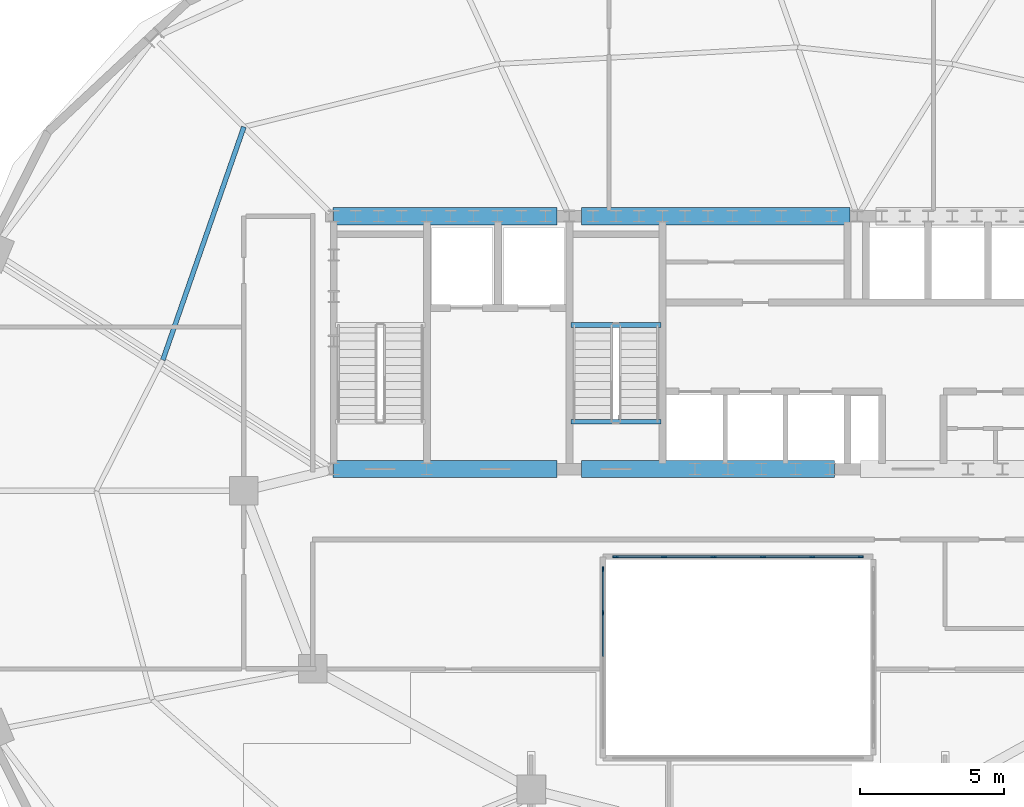
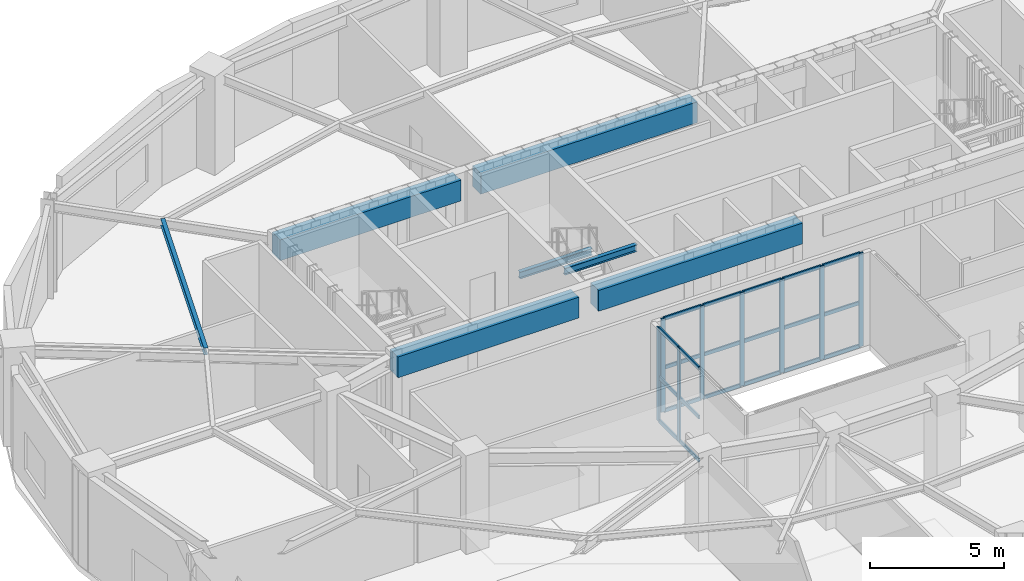
# One storey, part 5 of 13: 29 members, 7 beams, 2 elements without a shape of their own.
"""IFC4 building model written with IfcOpenShell, lengths in metres."""

import ifcopenshell
import ifcopenshell.guid

model = None  # the IFC model being written
_history = None  # IfcOwnerHistory: only IFC2X3 demands one
_inside = {}  # id of a spatial element -> (the spatial element, [elements in it])
_under = {}  # id of a project, library or spatial element -> (it, [spatial elements below it])
_declared = {}  # id of a project -> (the project, [libraries it declares])
_typed = {}  # id of a type object -> (the type object, [elements of that type])
_made_of = {}  # id of a material, layer set ... -> (it, [elements and type objects made of it])


def new_model(schema):
    """Start an empty IFC model of exactly this schema.

    Asked for "IFC4X3", IfcOpenShell would pick the latest addendum, in which some entities
    have other attributes; the version numbers below select the first issue.
    IFC2X3 requires an IfcOwnerHistory on every rooted entity: one is made here for all.
    """
    global model, _history
    if schema == "IFC4X3":
        model = ifcopenshell.file(schema_version=(4, 3, 0, 0))
    else:
        model = ifcopenshell.file(schema=schema)
    _inside.clear()
    _under.clear()
    _declared.clear()
    _typed.clear()
    _made_of.clear()
    _history = None
    if model.schema == "IFC2X3":
        org = make("IfcOrganization", Name="unknown")
        user = make(
            "IfcPersonAndOrganization",
            ThePerson=make("IfcPerson", FamilyName="unknown"),
            TheOrganization=org,
        )
        app = make(
            "IfcApplication",
            ApplicationDeveloper=org,
            Version="unknown",
            ApplicationFullName="unknown",
            ApplicationIdentifier="unknown",
        )
        _history = make(
            "IfcOwnerHistory",
            OwningUser=user,
            OwningApplication=app,
            ChangeAction="ADDED",
            CreationDate=0,
        )
    return model


def make(cls, **values):
    """One entity of the class cls with the attributes given. An attribute that is None is left unset."""
    return model.create_entity(
        cls, **{name: value for name, value in values.items() if value is not None}
    )


def rooted(cls, **values):
    """An entity with a GlobalId (a new one), such as an element, a storey or a relation."""
    return make(cls, GlobalId=ifcopenshell.guid.new(), OwnerHistory=_history, **values)


def si_unit(unit_type, name, prefix=None):
    """IfcSIUnit, for example si_unit("LENGTHUNIT", "METRE", prefix="MILLI")."""
    return make("IfcSIUnit", UnitType=unit_type, Prefix=prefix, Name=name)


def assignment(units):
    """IfcUnitAssignment: the units of a project."""
    return None if units is None else make("IfcUnitAssignment", Units=units)


def point(xyz):
    """IfcCartesianPoint."""
    return None if xyz is None else make("IfcCartesianPoint", Coordinates=xyz)


def direction(xyz):
    """IfcDirection."""
    return None if xyz is None else make("IfcDirection", DirectionRatios=xyz)


def frame(location, z_axis=None, x_axis=None):
    """IfcAxis2Placement3D, a coordinate frame: its origin and axes. An axis left out is left unset."""
    return make(
        "IfcAxis2Placement3D",
        Location=point(location),
        Axis=direction(z_axis),
        RefDirection=direction(x_axis),
    )


def frame_2d(location, x_axis=None):
    """IfcAxis2Placement2D, a coordinate frame in the plane: its origin and x axis."""
    return make(
        "IfcAxis2Placement2D", Location=point(location), RefDirection=direction(x_axis)
    )


def origin():
    """The frame at (0, 0, 0) with its axes left unset."""
    return frame((0.0, 0.0, 0.0))


def origin_2d():
    """The frame at (0, 0) in the plane with its x axis left unset."""
    return frame_2d((0.0, 0.0))


def place(relative_to, where):
    """IfcLocalPlacement: puts the frame where relative to a parent placement (None: the world)."""
    return make(
        "IfcLocalPlacement", PlacementRelTo=relative_to, RelativePlacement=where
    )


def context(
    kind, dimensions, precision=None, world=None, true_north=None, identifier=None
):
    """IfcGeometricRepresentationContext, for example the 3D "Model" context."""
    return make(
        "IfcGeometricRepresentationContext",
        ContextIdentifier=identifier,
        ContextType=kind,
        CoordinateSpaceDimension=dimensions,
        Precision=precision,
        WorldCoordinateSystem=world,
        TrueNorth=true_north,
    )


def subcontext(parent, identifier, kind, view, scale=None):
    """IfcGeometricRepresentationSubContext, for example "Body" below "Model"."""
    return make(
        "IfcGeometricRepresentationSubContext",
        ContextIdentifier=identifier,
        ContextType=kind,
        ParentContext=parent,
        TargetScale=scale,
        TargetView=view,
    )


def project(units=None, contexts=None):
    """IfcProject with its units and contexts."""
    return rooted(
        "IfcProject",
        Name="project",
        RepresentationContexts=contexts,
        UnitsInContext=assignment(units),
    )


def spatial(cls, under=None, at=None, **own):
    """A site, building, storey or space (cls), placed at a placement, below another one or the project."""
    s = rooted(cls, ObjectPlacement=at, **own)
    if under is not None:
        _under.setdefault(under.id(), (under, []))[1].append(s)
    return s


def profile(cls, at=None, kind="AREA", **sizes):
    """A parametric profile (cls). Its sizes go by their IFC names, for example OverallWidth=200.0."""
    return make(cls, ProfileType=kind, Position=at, **sizes)


def rectangle(**sizes):
    """IfcRectangleProfileDef."""
    return profile("IfcRectangleProfileDef", **sizes)


def i_section(**sizes):
    """IfcIShapeProfileDef."""
    return profile("IfcIShapeProfileDef", **sizes)


def extrude(swept, where, along, depth):
    """IfcExtrudedAreaSolid: the profile swept, set in the frame where, extruded along a direction by depth."""
    return make(
        "IfcExtrudedAreaSolid",
        SweptArea=swept,
        Position=where,
        ExtrudedDirection=direction(along),
        Depth=depth,
    )


def shape(context_of_items, identifier, shape_type, items):
    """IfcShapeRepresentation: the items that make up one representation, for example the "Body"."""
    return make(
        "IfcShapeRepresentation",
        ContextOfItems=context_of_items,
        RepresentationIdentifier=identifier,
        RepresentationType=shape_type,
        Items=items,
    )


def material(Name=None, Category=None):
    """IfcMaterial."""
    return make("IfcMaterial", Name=Name, Category=Category)


def material_profile(
    of_material, cross_section, Name=None, Category=None, Priority=None
):
    """IfcMaterialProfile: a cross section and its material."""
    return make(
        "IfcMaterialProfile",
        Name=Name,
        Material=of_material,
        Profile=cross_section,
        Priority=Priority,
        Category=Category,
    )


def profile_set(profiles, Name=None, composite=None):
    """IfcMaterialProfileSet."""
    return make(
        "IfcMaterialProfileSet",
        Name=Name,
        MaterialProfiles=profiles,
        CompositeProfile=composite,
    )


def made_of(thing, what):
    """Note that an element or type object is made of a material, layer set ...; save() writes the relation."""
    if what is not None:
        _made_of.setdefault(what.id(), (what, []))[1].append(thing)
    return thing


def type_object(cls, material=None, **own):
    """A type object (cls), such as IfcWallType, which elements share."""
    return made_of(rooted(cls, **own), material)


def element(
    cls,
    number,
    at=None,
    inside=None,
    cuts=None,
    type_object=None,
    material=None,
    context=None,
    identifier="Body",
    shape_type=None,
    held_by="IfcProductDefinitionShape",
    body=None,
    shapes=None,
    **own,
):
    """One element of the class cls, such as IfcWall. Its Tag is "e" and its number.

    at: its placement. inside: the storey or other place that contains it. cuts: it is an
    opening in that element (IfcRelVoidsElement). A single representation is given by context,
    identifier, shape_type and body (its items); several are given by shapes. held_by: the class
    of the entity that holds the representations. save() writes the other relations.
    """
    e = rooted(cls, Tag="e%d" % number, ObjectPlacement=at, **own)
    if body is not None:
        shapes = [shape(context, identifier, shape_type, body)]
    if shapes is not None:
        e.Representation = make(held_by, Representations=shapes)
    if inside is not None:
        _inside.setdefault(inside.id(), (inside, []))[1].append(e)
    if cuts is not None:
        rooted(
            "IfcRelVoidsElement", RelatingBuildingElement=cuts, RelatedOpeningElement=e
        )
    if type_object is not None:
        _typed.setdefault(type_object.id(), (type_object, []))[1].append(e)
    return made_of(e, material)


def aggregate(whole, parts):
    """IfcRelAggregates: a whole, such as a stair, and the parts it consists of."""
    return rooted("IfcRelAggregates", RelatingObject=whole, RelatedObjects=parts)


def save(model, path):
    """Write the relations noted so far, then the file.

    IfcRelAggregates (storeys below a building ...), IfcRelContainedInSpatialStructure (elements
    in a storey), IfcRelDefinesByType, IfcRelAssociatesMaterial and IfcRelDeclares: one each for
    every whole, place, type object, material and project.
    """
    for whole, parts in _under.values():
        aggregate(whole, parts)
    for where, things in _inside.values():
        rooted(
            "IfcRelContainedInSpatialStructure",
            RelatedElements=things,
            RelatingStructure=where,
        )
    for kind, things in _typed.values():
        rooted("IfcRelDefinesByType", RelatedObjects=things, RelatingType=kind)
    for what, things in _made_of.values():
        rooted("IfcRelAssociatesMaterial", RelatedObjects=things, RelatingMaterial=what)
    for by, libraries in _declared.values():
        rooted("IfcRelDeclares", RelatingContext=by, RelatedDefinitions=libraries)
    model.write(path)


model = new_model("IFC4")

# Units and contexts
model_context = context("Model", 3, precision=1e-05, world=origin(), true_north=direction((0.0, 1.0)))
body_context = subcontext(model_context, "Body", "Model", "MODEL_VIEW")
ifc_project = project(units=[si_unit("LENGTHUNIT", "METRE"), si_unit("AREAUNIT", "SQUARE_METRE"), si_unit("VOLUMEUNIT", "CUBIC_METRE"), si_unit("PLANEANGLEUNIT", "RADIAN"), si_unit("MASSUNIT", "GRAM", prefix="KILO")], contexts=[model_context])

# Site, building, storey
site_placement = place(None, origin())
site = spatial("IfcSite", under=ifc_project, at=site_placement, CompositionType="ELEMENT")
building_placement = place(site_placement, origin())
building = spatial("IfcBuilding", under=site, at=building_placement, Name="Haldorwick Loom Tower", CompositionType="ELEMENT")
storey_placement = place(building_placement, frame((0.0, 0.0, 188.949951171875)))
storey = spatial("IfcBuildingStorey", under=building, at=storey_placement, Name="L51", CompositionType="ELEMENT", Elevation=188.949951171875)

# Curtain wall, members
ifc_material_1 = material(Name="Thermally Broken Anodized Aluminium Curtain Wall Framing", Category="aluminium")
curtain_wall_type = type_object("IfcCurtainWallType", Name="ARC-CW-03", PredefinedType="NOTDEFINED", material=ifc_material_1)
curtain_wall_1_placement = place(storey_placement, origin())
curtain_wall_1 = element("IfcCurtainWall", 1, at=curtain_wall_1_placement, inside=storey, type_object=curtain_wall_type, Name="L51 Atrium Glazed Screen N", PredefinedType="NOTDEFINED")
ifc_material_profile_1 = material_profile(ifc_material_1, rectangle(XDim=0.06591796875, YDim=0.18505859375, at=origin_2d()), Name="ALU_MUL_66X185", Category="aluminium")
ifc_profile_set_1 = profile_set([ifc_material_profile_1], Name="Thermally Broken Anodized Aluminium Curtain Wall Framing")
member_type_1 = type_object("IfcMemberType", Name="ARC-CWM-03", PredefinedType="MULLION", material=ifc_profile_set_1)
member_1_placement = place(storey_placement, frame((31.73291015625, 23.699951171875, 0.0), z_axis=(0.0, 0.0, 1.0), x_axis=(0.0, 1.0, 0.0)))
member_1 = element("IfcMember", 2, at=member_1_placement, type_object=member_type_1, Name="CW-03 mullion 1", PredefinedType="MULLION", context=body_context, shape_type="SweptSolid", body=[
    extrude(rectangle(XDim=0.06591796875, YDim=0.18505859375, at=origin_2d()), origin(), (0.0, 0.0, 1.0), 4.260009765625),
])
member_2_placement = place(storey_placement, frame((33.419921875, 23.699951171875, 0.0), z_axis=(0.0, 0.0, 1.0), x_axis=(0.0, 1.0, 0.0)))
member_2 = element("IfcMember", 3, at=member_2_placement, type_object=member_type_1, Name="CW-03 mullion 2", PredefinedType="MULLION", context=body_context, shape_type="SweptSolid", body=[
    extrude(rectangle(XDim=0.06591796875, YDim=0.18505859375, at=origin_2d()), origin(), (0.0, 0.0, 1.0), 4.260009765625),
])
member_3_placement = place(storey_placement, frame((35.139892578125, 23.699951171875, 0.0), z_axis=(0.0, 0.0, 1.0), x_axis=(0.0, 1.0, 0.0)))
member_3 = element("IfcMember", 4, at=member_3_placement, type_object=member_type_1, Name="CW-03 mullion 3", PredefinedType="MULLION", context=body_context, shape_type="SweptSolid", body=[
    extrude(rectangle(XDim=0.06591796875, YDim=0.18505859375, at=origin_2d()), origin(), (0.0, 0.0, 1.0), 4.260009765625),
])
member_4_placement = place(storey_placement, frame((36.860107421875, 23.699951171875, 0.0), z_axis=(0.0, 0.0, 1.0), x_axis=(0.0, 1.0, 0.0)))
member_4 = element("IfcMember", 5, at=member_4_placement, type_object=member_type_1, Name="CW-03 mullion 4", PredefinedType="MULLION", context=body_context, shape_type="SweptSolid", body=[
    extrude(rectangle(XDim=0.06591796875, YDim=0.18505859375, at=origin_2d()), origin(), (0.0, 0.0, 1.0), 4.260009765625),
])
member_5_placement = place(storey_placement, frame((38.580078125, 23.699951171875, 0.0), z_axis=(0.0, 0.0, 1.0), x_axis=(0.0, 1.0, 0.0)))
member_5 = element("IfcMember", 6, at=member_5_placement, type_object=member_type_1, Name="CW-03 mullion 5", PredefinedType="MULLION", context=body_context, shape_type="SweptSolid", body=[
    extrude(rectangle(XDim=0.06591796875, YDim=0.18505859375, at=origin_2d()), origin(), (0.0, 0.0, 1.0), 4.260009765625),
])
member_6_placement = place(storey_placement, frame((40.26708984375, 23.699951171875, 0.0), z_axis=(0.0, 0.0, 1.0), x_axis=(0.0, 1.0, 0.0)))
member_6 = element("IfcMember", 7, at=member_6_placement, type_object=member_type_1, Name="CW-03 mullion 6", PredefinedType="MULLION", context=body_context, shape_type="SweptSolid", body=[
    extrude(rectangle(XDim=0.06591796875, YDim=0.18505859375, at=origin_2d()), origin(), (0.0, 0.0, 1.0), 4.260009765625),
])

curtain_wall_2_placement = place(storey_placement, origin())
curtain_wall_2 = element("IfcCurtainWall", 8, at=curtain_wall_2_placement, inside=storey, type_object=curtain_wall_type, Name="L51 Atrium Glazed Screen W", PredefinedType="NOTDEFINED")
member_7_placement = place(storey_placement, frame((31.300048828125, 21.75, 0.0), z_axis=(0.0, 0.0, 1.0), x_axis=(-1.0, 0.0, 0.0)))
member_7 = element("IfcMember", 9, at=member_7_placement, type_object=member_type_1, Name="CW-03 mullion 4", PredefinedType="MULLION", context=body_context, shape_type="SweptSolid", body=[
    extrude(rectangle(XDim=0.06591796875, YDim=0.18505859375, at=origin_2d()), origin(), (0.0, 0.0, 1.0), 4.260009765625),
])
member_8_placement = place(storey_placement, frame((31.300048828125, 23.26708984375, 0.0), z_axis=(0.0, 0.0, 1.0), x_axis=(-1.0, 0.0, 0.0)))
member_8 = element("IfcMember", 10, at=member_8_placement, type_object=member_type_1, Name="CW-03 mullion 5", PredefinedType="MULLION", context=body_context, shape_type="SweptSolid", body=[
    extrude(rectangle(XDim=0.06591796875, YDim=0.18505859375, at=origin_2d()), origin(), (0.0, 0.0, 1.0), 4.260009765625),
])

# Member
ifc_material_profile_2 = material_profile(ifc_material_1, rectangle(XDim=0.06591796875, YDim=0.1650390625, at=origin_2d()), Name="ALU_TRN_66X165", Category="aluminium")
ifc_profile_set_2 = profile_set([ifc_material_profile_2], Name="Thermally Broken Anodized Aluminium Curtain Wall Framing")
member_type_2 = type_object("IfcMemberType", Name="ARC-CWT-03", PredefinedType="USERDEFINED", material=ifc_profile_set_2)
member_9_placement = place(storey_placement, frame((31.76611328125, 23.699951171875, 0.032958984375), z_axis=(1.0, 0.0, 0.0), x_axis=(0.0, 1.0, 0.0)))
member_9 = element("IfcMember", 11, at=member_9_placement, type_object=member_type_2, Name="CW-03 transom 1.1", ObjectType="TRANSOM", PredefinedType="USERDEFINED", context=body_context, shape_type="SweptSolid", body=[
    extrude(rectangle(XDim=0.06591796875, YDim=0.1650390625, at=origin_2d()), origin(), (0.0, 0.0, 1.0), 1.620849609375),
])

member_10_placement = place(storey_placement, frame((31.76611328125, 23.699951171875, 2.0), z_axis=(1.0, 0.0, 0.0), x_axis=(0.0, 1.0, 0.0)))
member_10 = element("IfcMember", 12, at=member_10_placement, type_object=member_type_2, Name="CW-03 transom 1.2", ObjectType="TRANSOM", PredefinedType="USERDEFINED", context=body_context, shape_type="SweptSolid", body=[
    extrude(rectangle(XDim=0.06591796875, YDim=0.1650390625, at=origin_2d()), origin(), (0.0, 0.0, 1.0), 1.620849609375),
])

member_11_placement = place(storey_placement, frame((31.76611328125, 23.699951171875, 4.22705078125), z_axis=(1.0, 0.0, 0.0), x_axis=(0.0, 1.0, 0.0)))
member_11 = element("IfcMember", 13, at=member_11_placement, type_object=member_type_2, Name="CW-03 transom 1.3", ObjectType="TRANSOM", PredefinedType="USERDEFINED", context=body_context, shape_type="SweptSolid", body=[
    extrude(rectangle(XDim=0.06591796875, YDim=0.1650390625, at=origin_2d()), origin(), (0.0, 0.0, 1.0), 1.620849609375),
])

member_12_placement = place(storey_placement, frame((33.452880859375, 23.699951171875, 0.032958984375), z_axis=(1.0, 0.0, 0.0), x_axis=(0.0, 1.0, 0.0)))
member_12 = element("IfcMember", 14, at=member_12_placement, type_object=member_type_2, Name="CW-03 transom 2.1", ObjectType="TRANSOM", PredefinedType="USERDEFINED", context=body_context, shape_type="SweptSolid", body=[
    extrude(rectangle(XDim=0.06591796875, YDim=0.1650390625, at=origin_2d()), origin(), (0.0, 0.0, 1.0), 1.654052734375),
])

member_13_placement = place(storey_placement, frame((33.452880859375, 23.699951171875, 2.0), z_axis=(1.0, 0.0, 0.0), x_axis=(0.0, 1.0, 0.0)))
member_13 = element("IfcMember", 15, at=member_13_placement, type_object=member_type_2, Name="CW-03 transom 2.2", ObjectType="TRANSOM", PredefinedType="USERDEFINED", context=body_context, shape_type="SweptSolid", body=[
    extrude(rectangle(XDim=0.06591796875, YDim=0.1650390625, at=origin_2d()), origin(), (0.0, 0.0, 1.0), 1.654052734375),
])

member_14_placement = place(storey_placement, frame((33.452880859375, 23.699951171875, 4.22705078125), z_axis=(1.0, 0.0, 0.0), x_axis=(0.0, 1.0, 0.0)))
member_14 = element("IfcMember", 16, at=member_14_placement, type_object=member_type_2, Name="CW-03 transom 2.3", ObjectType="TRANSOM", PredefinedType="USERDEFINED", context=body_context, shape_type="SweptSolid", body=[
    extrude(rectangle(XDim=0.06591796875, YDim=0.1650390625, at=origin_2d()), origin(), (0.0, 0.0, 1.0), 1.654052734375),
])

member_15_placement = place(storey_placement, frame((35.173095703125, 23.699951171875, 0.032958984375), z_axis=(1.0, 0.0, 0.0), x_axis=(0.0, 1.0, 0.0)))
member_15 = element("IfcMember", 17, at=member_15_placement, type_object=member_type_2, Name="CW-03 transom 3.1", ObjectType="TRANSOM", PredefinedType="USERDEFINED", context=body_context, shape_type="SweptSolid", body=[
    extrude(rectangle(XDim=0.06591796875, YDim=0.1650390625, at=origin_2d()), origin(), (0.0, 0.0, 1.0), 1.65380859375),
])

member_16_placement = place(storey_placement, frame((35.173095703125, 23.699951171875, 2.0), z_axis=(1.0, 0.0, 0.0), x_axis=(0.0, 1.0, 0.0)))
member_16 = element("IfcMember", 18, at=member_16_placement, type_object=member_type_2, Name="CW-03 transom 3.2", ObjectType="TRANSOM", PredefinedType="USERDEFINED", context=body_context, shape_type="SweptSolid", body=[
    extrude(rectangle(XDim=0.06591796875, YDim=0.1650390625, at=origin_2d()), origin(), (0.0, 0.0, 1.0), 1.65380859375),
])

member_17_placement = place(storey_placement, frame((35.173095703125, 23.699951171875, 4.22705078125), z_axis=(1.0, 0.0, 0.0), x_axis=(0.0, 1.0, 0.0)))
member_17 = element("IfcMember", 19, at=member_17_placement, type_object=member_type_2, Name="CW-03 transom 3.3", ObjectType="TRANSOM", PredefinedType="USERDEFINED", context=body_context, shape_type="SweptSolid", body=[
    extrude(rectangle(XDim=0.06591796875, YDim=0.1650390625, at=origin_2d()), origin(), (0.0, 0.0, 1.0), 1.65380859375),
])

member_18_placement = place(storey_placement, frame((36.89306640625, 23.699951171875, 0.032958984375), z_axis=(1.0, 0.0, 0.0), x_axis=(0.0, 1.0, 0.0)))
member_18 = element("IfcMember", 20, at=member_18_placement, type_object=member_type_2, Name="CW-03 transom 4.1", ObjectType="TRANSOM", PredefinedType="USERDEFINED", context=body_context, shape_type="SweptSolid", body=[
    extrude(rectangle(XDim=0.06591796875, YDim=0.1650390625, at=origin_2d()), origin(), (0.0, 0.0, 1.0), 1.654052734375),
])

member_19_placement = place(storey_placement, frame((36.89306640625, 23.699951171875, 2.0), z_axis=(1.0, 0.0, 0.0), x_axis=(0.0, 1.0, 0.0)))
member_19 = element("IfcMember", 21, at=member_19_placement, type_object=member_type_2, Name="CW-03 transom 4.2", ObjectType="TRANSOM", PredefinedType="USERDEFINED", context=body_context, shape_type="SweptSolid", body=[
    extrude(rectangle(XDim=0.06591796875, YDim=0.1650390625, at=origin_2d()), origin(), (0.0, 0.0, 1.0), 1.654052734375),
])

member_20_placement = place(storey_placement, frame((36.89306640625, 23.699951171875, 4.22705078125), z_axis=(1.0, 0.0, 0.0), x_axis=(0.0, 1.0, 0.0)))
member_20 = element("IfcMember", 22, at=member_20_placement, type_object=member_type_2, Name="CW-03 transom 4.3", ObjectType="TRANSOM", PredefinedType="USERDEFINED", context=body_context, shape_type="SweptSolid", body=[
    extrude(rectangle(XDim=0.06591796875, YDim=0.1650390625, at=origin_2d()), origin(), (0.0, 0.0, 1.0), 1.654052734375),
])

member_21_placement = place(storey_placement, frame((38.613037109375, 23.699951171875, 0.032958984375), z_axis=(1.0, 0.0, 0.0), x_axis=(0.0, 1.0, 0.0)))
member_21 = element("IfcMember", 23, at=member_21_placement, type_object=member_type_2, Name="CW-03 transom 5.1", ObjectType="TRANSOM", PredefinedType="USERDEFINED", context=body_context, shape_type="SweptSolid", body=[
    extrude(rectangle(XDim=0.06591796875, YDim=0.1650390625, at=origin_2d()), origin(), (0.0, 0.0, 1.0), 1.620849609375),
])

member_22_placement = place(storey_placement, frame((38.613037109375, 23.699951171875, 2.0), z_axis=(1.0, 0.0, 0.0), x_axis=(0.0, 1.0, 0.0)))
member_22 = element("IfcMember", 24, at=member_22_placement, type_object=member_type_2, Name="CW-03 transom 5.2", ObjectType="TRANSOM", PredefinedType="USERDEFINED", context=body_context, shape_type="SweptSolid", body=[
    extrude(rectangle(XDim=0.06591796875, YDim=0.1650390625, at=origin_2d()), origin(), (0.0, 0.0, 1.0), 1.620849609375),
])

member_23_placement = place(storey_placement, frame((38.613037109375, 23.699951171875, 4.22705078125), z_axis=(1.0, 0.0, 0.0), x_axis=(0.0, 1.0, 0.0)))
member_23 = element("IfcMember", 25, at=member_23_placement, type_object=member_type_2, Name="CW-03 transom 5.3", ObjectType="TRANSOM", PredefinedType="USERDEFINED", context=body_context, shape_type="SweptSolid", body=[
    extrude(rectangle(XDim=0.06591796875, YDim=0.1650390625, at=origin_2d()), origin(), (0.0, 0.0, 1.0), 1.620849609375),
])

aggregate(curtain_wall_1, [member_1, member_2, member_3, member_4, member_5, member_6, member_9, member_10, member_11, member_12, member_13, member_14, member_15, member_16, member_17, member_18, member_19, member_20, member_21, member_22, member_23])

member_24_placement = place(storey_placement, frame((31.300048828125, 20.23291015625, 0.032958984375), z_axis=(0.0, 1.0, 0.0), x_axis=(-1.0, 0.0, 0.0)))
member_24 = element("IfcMember", 26, at=member_24_placement, type_object=member_type_2, Name="CW-03 transom 3.1", ObjectType="TRANSOM", PredefinedType="USERDEFINED", context=body_context, shape_type="SweptSolid", body=[
    extrude(rectangle(XDim=0.06591796875, YDim=0.1650390625, at=origin_2d()), origin(), (0.0, 0.0, 1.0), 1.484130859375),
])

member_25_placement = place(storey_placement, frame((31.300048828125, 20.23291015625, 2.0), z_axis=(0.0, 1.0, 0.0), x_axis=(-1.0, 0.0, 0.0)))
member_25 = element("IfcMember", 27, at=member_25_placement, type_object=member_type_2, Name="CW-03 transom 3.2", ObjectType="TRANSOM", PredefinedType="USERDEFINED", context=body_context, shape_type="SweptSolid", body=[
    extrude(rectangle(XDim=0.06591796875, YDim=0.1650390625, at=origin_2d()), origin(), (0.0, 0.0, 1.0), 1.484130859375),
])

member_26_placement = place(storey_placement, frame((31.300048828125, 20.23291015625, 4.22705078125), z_axis=(0.0, 1.0, 0.0), x_axis=(-1.0, 0.0, 0.0)))
member_26 = element("IfcMember", 28, at=member_26_placement, type_object=member_type_2, Name="CW-03 transom 3.3", ObjectType="TRANSOM", PredefinedType="USERDEFINED", context=body_context, shape_type="SweptSolid", body=[
    extrude(rectangle(XDim=0.06591796875, YDim=0.1650390625, at=origin_2d()), origin(), (0.0, 0.0, 1.0), 1.484130859375),
])

member_27_placement = place(storey_placement, frame((31.300048828125, 21.782958984375, 0.032958984375), z_axis=(0.0, 1.0, 0.0), x_axis=(-1.0, 0.0, 0.0)))
member_27 = element("IfcMember", 29, at=member_27_placement, type_object=member_type_2, Name="CW-03 transom 4.1", ObjectType="TRANSOM", PredefinedType="USERDEFINED", context=body_context, shape_type="SweptSolid", body=[
    extrude(rectangle(XDim=0.06591796875, YDim=0.1650390625, at=origin_2d()), origin(), (0.0, 0.0, 1.0), 1.450927734375),
])

member_28_placement = place(storey_placement, frame((31.300048828125, 21.782958984375, 2.0), z_axis=(0.0, 1.0, 0.0), x_axis=(-1.0, 0.0, 0.0)))
member_28 = element("IfcMember", 30, at=member_28_placement, type_object=member_type_2, Name="CW-03 transom 4.2", ObjectType="TRANSOM", PredefinedType="USERDEFINED", context=body_context, shape_type="SweptSolid", body=[
    extrude(rectangle(XDim=0.06591796875, YDim=0.1650390625, at=origin_2d()), origin(), (0.0, 0.0, 1.0), 1.450927734375),
])

member_29_placement = place(storey_placement, frame((31.300048828125, 21.782958984375, 4.22705078125), z_axis=(0.0, 1.0, 0.0), x_axis=(-1.0, 0.0, 0.0)))
member_29 = element("IfcMember", 31, at=member_29_placement, type_object=member_type_2, Name="CW-03 transom 4.3", ObjectType="TRANSOM", PredefinedType="USERDEFINED", context=body_context, shape_type="SweptSolid", body=[
    extrude(rectangle(XDim=0.06591796875, YDim=0.1650390625, at=origin_2d()), origin(), (0.0, 0.0, 1.0), 1.450927734375),
])

aggregate(curtain_wall_2, [member_7, member_8, member_24, member_25, member_26, member_27, member_28, member_29])

# Beams
ifc_material_2 = material(Name="Concrete C50 (50 MPa)", Category="concrete")
ifc_material_profile_3 = material_profile(ifc_material_2, rectangle(XDim=0.60009765625, YDim=0.949951171875, at=origin_2d()), Name="RC600X950", Category="concrete")
ifc_profile_set_3 = profile_set([ifc_material_profile_3], Name="Concrete C50 (50 MPa)")
beam_type_1 = type_object("IfcBeamType", Name="STR-BM-CB950", PredefinedType="LINTEL", material=ifc_profile_set_3)
beam_1_placement = place(storey_placement, frame((21.89990234375, 35.550048828125, 3.78515625), z_axis=(1.0, 0.0, 0.0), x_axis=(0.0, 1.0, 0.0)))
element("IfcBeam", 32, at=beam_1_placement, inside=storey, type_object=beam_type_1, Name="L51 Core Coupling Beam CB-N1", PredefinedType="LINTEL", context=body_context, shape_type="SweptSolid", body=[
    extrude(rectangle(XDim=0.60009765625, YDim=0.949951171875, at=origin_2d()), origin(), (0.0, 0.0, 1.0), 7.800048828125),
])
beam_2_placement = place(storey_placement, frame((30.550048828125, 35.550048828125, 3.78515625), z_axis=(1.0, 0.0, 0.0), x_axis=(0.0, 1.0, 0.0)))
element("IfcBeam", 33, at=beam_2_placement, inside=storey, type_object=beam_type_1, Name="L51 Core Coupling Beam CB-N2", PredefinedType="LINTEL", context=body_context, shape_type="SweptSolid", body=[
    extrude(rectangle(XDim=0.60009765625, YDim=0.949951171875, at=origin_2d()), origin(), (0.0, 0.0, 1.0), 9.349853515625),
])
beam_3_placement = place(storey_placement, frame((21.89990234375, 26.75, 3.78515625), z_axis=(1.0, 0.0, 0.0), x_axis=(0.0, 1.0, 0.0)))
element("IfcBeam", 34, at=beam_3_placement, inside=storey, type_object=beam_type_1, Name="L51 Core Coupling Beam CB-S1", PredefinedType="LINTEL", context=body_context, shape_type="SweptSolid", body=[
    extrude(rectangle(XDim=0.60009765625, YDim=0.949951171875, at=origin_2d()), origin(), (0.0, 0.0, 1.0), 7.800048828125),
])
beam_4_placement = place(storey_placement, frame((30.550048828125, 26.75, 3.78515625), z_axis=(1.0, 0.0, 0.0), x_axis=(0.0, 1.0, 0.0)))
element("IfcBeam", 35, at=beam_4_placement, inside=storey, type_object=beam_type_1, Name="L51 Core Coupling Beam CB-S2", PredefinedType="LINTEL", context=body_context, shape_type="SweptSolid", body=[
    extrude(rectangle(XDim=0.60009765625, YDim=0.949951171875, at=origin_2d()), origin(), (0.0, 0.0, 1.0), 8.800048828125),
])
ifc_material_3 = material(Name="Steel CSA G40.21 350W", Category="steel")
ifc_material_profile_4 = material_profile(ifc_material_3, i_section(OverallWidth=0.166015625, OverallDepth=0.31298828125, WebThickness=0.006591796875, FlangeThickness=0.01123046875, at=origin_2d()), Name="W310X45", Category="steel")
ifc_profile_set_4 = profile_set([ifc_material_profile_4], Name="Steel CSA G40.21 350W")
beam_type_2 = type_object("IfcBeamType", Name="STR-BM-J310", PredefinedType="JOIST", material=ifc_profile_set_4)
beam_5_placement = place(storey_placement, frame((18.80615234375, 38.657470703125, 4.103515625), z_axis=(-0.328550395803, -0.944486441098, 0.0), x_axis=(0.944486441098, -0.328550395803, 0.0)))
element("IfcBeam", 36, at=beam_5_placement, inside=storey, type_object=beam_type_2, Name="L51 Mid-Bay Secondary Joist 7", PredefinedType="JOIST", context=body_context, shape_type="SweptSolid", body=[
    extrude(i_section(OverallWidth=0.166015625, OverallDepth=0.31298828125, WebThickness=0.006591796875, FlangeThickness=0.01123046875, at=origin_2d()), origin(), (0.0, 0.0, 1.0), 8.587890625),
])
ifc_material_profile_5 = material_profile(ifc_material_3, i_section(OverallWidth=0.166015625, OverallDepth=0.31298828125, WebThickness=0.006591796875, FlangeThickness=0.01123046875, at=origin_2d()), Name="W310X45", Category="steel")
ifc_profile_set_5 = profile_set([ifc_material_profile_5], Name="Steel CSA G40.21 350W")
beam_type_3 = type_object("IfcBeamType", Name="STR-BM-STRM", PredefinedType="BEAM", material=ifc_profile_set_5)
for number, where, z_axis, x_axis, name in (
    (37, (30.18994140625, 28.39990234375, 4.103515625), (1.0, 0.0, 0.0), (0.0, 1.0, 0.0), "L51 Stair ST-03 Landing Edge Trimmer"),
    (38, (30.18994140625, 31.760009765625, 1.8935546875), (1.0, 0.0, 0.0), (0.0, 1.0, 0.0), "L51 Stair ST-03 Half-Landing Trimmer 1"),
):
    element("IfcBeam", number, at=place(storey_placement, frame(where, z_axis=z_axis, x_axis=x_axis)), inside=storey, type_object=beam_type_3, Name=name, PredefinedType="BEAM", context=body_context, shape_type="SweptSolid", body=[
        extrude(i_section(OverallWidth=0.166015625, OverallDepth=0.31298828125, WebThickness=0.006591796875, FlangeThickness=0.01123046875, at=origin_2d()), origin(), (0.0, 0.0, 1.0), 3.1201171875),
    ])

save(model, "model.ifc")
